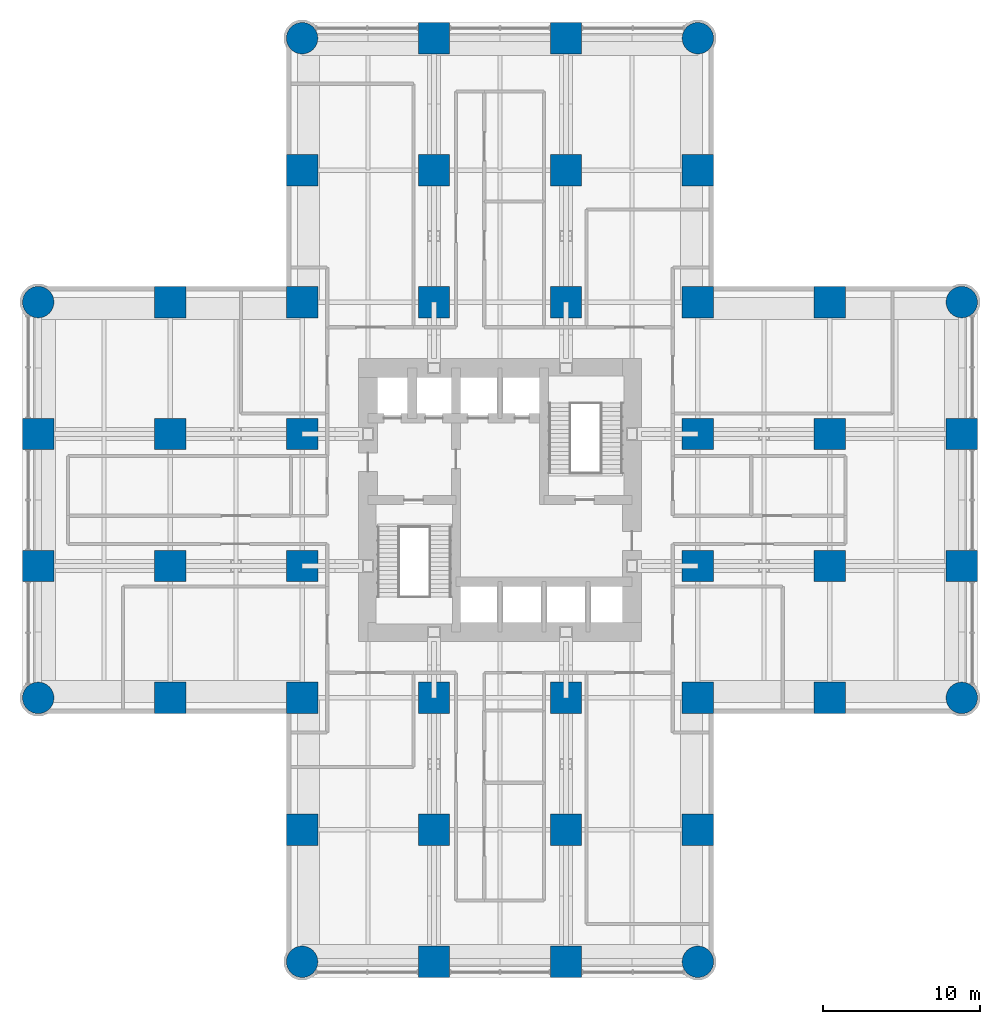
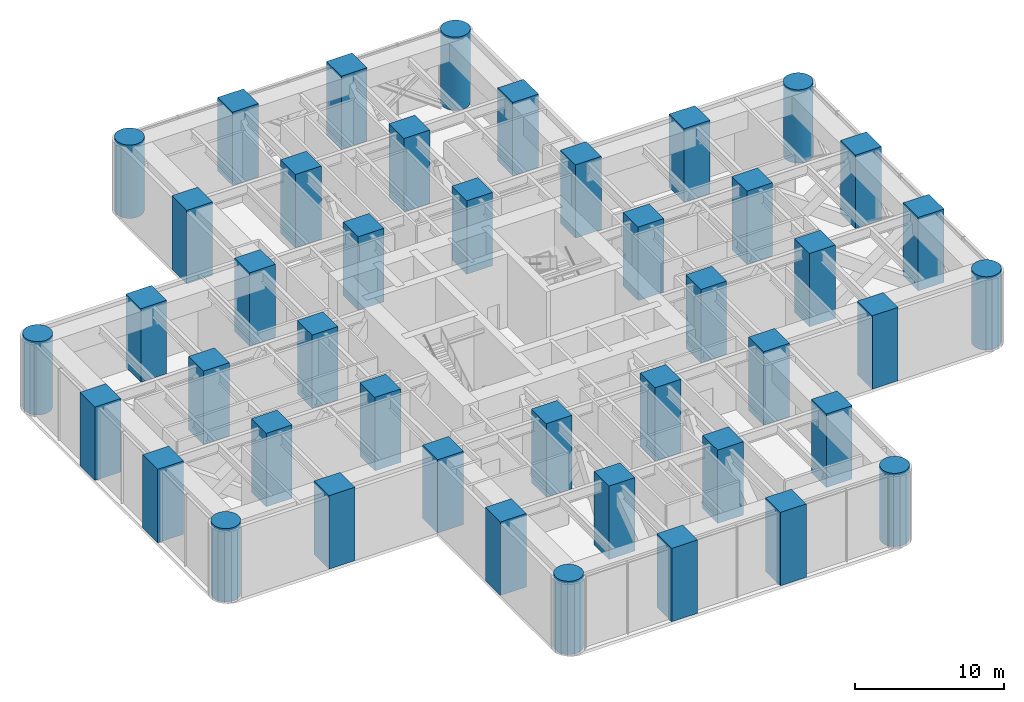
# One storey, part 1 of 12: 44 columns.
"""IFC4 building model written with IfcOpenShell, lengths in metres."""

from ifc_helpers import new_model, si_unit, direction, frame, origin, origin_2d, place, context, subcontext, project, spatial, rectangle, circle, extrude, material, material_profile, profile_set, type_object, element, save


model = new_model("IFC4")

# Units and contexts
model_context = context("Model", 3, precision=1e-05, world=origin(), true_north=direction((0.0, 1.0)))
body_context = subcontext(model_context, "Body", "Model", "MODEL_VIEW")
ifc_project = project(units=[si_unit("LENGTHUNIT", "METRE"), si_unit("AREAUNIT", "SQUARE_METRE"), si_unit("VOLUMEUNIT", "CUBIC_METRE"), si_unit("PLANEANGLEUNIT", "RADIAN"), si_unit("MASSUNIT", "GRAM", prefix="KILO")], contexts=[model_context])

# Site, building, storey
site_placement = place(None, origin())
site = spatial("IfcSite", under=ifc_project, at=site_placement, CompositionType="ELEMENT")
building_placement = place(site_placement, origin())
building = spatial("IfcBuilding", under=site, at=building_placement, Name="Torre Alcanfor", CompositionType="ELEMENT")
storey_placement = place(building_placement, frame((0.0, 0.0, 102.89990234375)))
storey = spatial("IfcBuildingStorey", under=building, at=storey_placement, Name="L26", CompositionType="ELEMENT", Elevation=102.89990234375)

# Columns
ifc_material_1 = material(Name="Concrete f'c 70 MPa", Category="concrete")
ifc_material_profile_1 = material_profile(ifc_material_1, rectangle(XDim=2.0, YDim=2.0, at=origin_2d()), Name="2000x2000")
ifc_profile_set_1 = profile_set([ifc_material_profile_1], Name="Concrete f'c 70 MPa")
column_type_1 = type_object("IfcColumnType", Name="RC column 2000x2000 f'c70", PredefinedType="COLUMN", material=ifc_profile_set_1)
for number, where, z_axis, x_axis, name in (
    (1, (0.0, 25.199951171875, 0.0), (0.0, 0.0, 1.0), (1.0, 0.0, 0.0), "Column 1/F L26"),
    (2, (0.0, 33.60009765625, 0.0), (0.0, 0.0, 1.0), (1.0, 0.0, 0.0), "Column 1/G L26"),
    (3, (8.39990234375, 16.800048828125, 0.0), (0.0, 0.0, 1.0), (1.0, 0.0, 0.0), "Column 2/E L26"),
    (4, (8.39990234375, 25.199951171875, 0.0), (0.0, 0.0, 1.0), (1.0, 0.0, 0.0), "Column 2/F L26"),
    (5, (8.39990234375, 33.60009765625, 0.0), (0.0, 0.0, 1.0), (1.0, 0.0, 0.0), "Column 2/G L26"),
    (6, (8.39990234375, 42.0, 0.0), (0.0, 0.0, 1.0), (1.0, 0.0, 0.0), "Column 2/H L26"),
    (7, (16.800048828125, 8.39990234375, 0.0), (0.0, 0.0, 1.0), (1.0, 0.0, 0.0), "Column 3/D L26"),
    (8, (16.800048828125, 16.800048828125, 0.0), (0.0, 0.0, 1.0), (1.0, 0.0, 0.0), "Column 3/E L26"),
    (9, (16.800048828125, 25.199951171875, 0.0), (0.0, 0.0, 1.0), (1.0, 0.0, 0.0), "Column 3/F L26"),
    (10, (16.800048828125, 33.60009765625, 0.0), (0.0, 0.0, 1.0), (1.0, 0.0, 0.0), "Column 3/G L26"),
    (11, (16.800048828125, 42.0, 0.0), (0.0, 0.0, 1.0), (1.0, 0.0, 0.0), "Column 3/H L26"),
    (12, (16.800048828125, 50.39990234375, 0.0), (0.0, 0.0, 1.0), (1.0, 0.0, 0.0), "Column 3/J L26"),
    (13, (25.199951171875, 0.0, 0.0), (0.0, 0.0, 1.0), (1.0, 0.0, 0.0), "Column 4/C L26"),
    (14, (25.199951171875, 8.39990234375, 0.0), (0.0, 0.0, 1.0), (1.0, 0.0, 0.0), "Column 4/D L26"),
    (15, (25.199951171875, 16.800048828125, 0.0), (0.0, 0.0, 1.0), (1.0, 0.0, 0.0), "Column 4/E L26"),
    (16, (25.199951171875, 42.0, 0.0), (0.0, 0.0, 1.0), (1.0, 0.0, 0.0), "Column 4/H L26"),
    (17, (25.199951171875, 50.39990234375, 0.0), (0.0, 0.0, 1.0), (1.0, 0.0, 0.0), "Column 4/J L26"),
    (18, (25.199951171875, 58.800048828125, 0.0), (0.0, 0.0, 1.0), (1.0, 0.0, 0.0), "Column 4/K L26"),
    (19, (33.60009765625, 0.0, 0.0), (0.0, 0.0, 1.0), (1.0, 0.0, 0.0), "Column 5/C L26"),
    (20, (33.60009765625, 8.39990234375, 0.0), (0.0, 0.0, 1.0), (1.0, 0.0, 0.0), "Column 5/D L26"),
    (21, (33.60009765625, 16.800048828125, 0.0), (0.0, 0.0, 1.0), (1.0, 0.0, 0.0), "Column 5/E L26"),
    (22, (33.60009765625, 42.0, 0.0), (0.0, 0.0, 1.0), (1.0, 0.0, 0.0), "Column 5/H L26"),
    (23, (33.60009765625, 50.39990234375, 0.0), (0.0, 0.0, 1.0), (1.0, 0.0, 0.0), "Column 5/J L26"),
    (24, (33.60009765625, 58.800048828125, 0.0), (0.0, 0.0, 1.0), (1.0, 0.0, 0.0), "Column 5/K L26"),
    (25, (42.0, 8.39990234375, 0.0), (0.0, 0.0, 1.0), (1.0, 0.0, 0.0), "Column 6/D L26"),
    (26, (42.0, 16.800048828125, 0.0), (0.0, 0.0, 1.0), (1.0, 0.0, 0.0), "Column 6/E L26"),
    (27, (42.0, 25.199951171875, 0.0), (0.0, 0.0, 1.0), (1.0, 0.0, 0.0), "Column 6/F L26"),
    (28, (42.0, 33.60009765625, 0.0), (0.0, 0.0, 1.0), (1.0, 0.0, 0.0), "Column 6/G L26"),
    (29, (42.0, 42.0, 0.0), (0.0, 0.0, 1.0), (1.0, 0.0, 0.0), "Column 6/H L26"),
    (30, (42.0, 50.39990234375, 0.0), (0.0, 0.0, 1.0), (1.0, 0.0, 0.0), "Column 6/J L26"),
    (31, (50.39990234375, 16.800048828125, 0.0), (0.0, 0.0, 1.0), (1.0, 0.0, 0.0), "Column 7/E L26"),
    (32, (50.39990234375, 25.199951171875, 0.0), (0.0, 0.0, 1.0), (1.0, 0.0, 0.0), "Column 7/F L26"),
    (33, (50.39990234375, 33.60009765625, 0.0), (0.0, 0.0, 1.0), (1.0, 0.0, 0.0), "Column 7/G L26"),
    (34, (50.39990234375, 42.0, 0.0), (0.0, 0.0, 1.0), (1.0, 0.0, 0.0), "Column 7/H L26"),
    (35, (58.800048828125, 25.199951171875, 0.0), (0.0, 0.0, 1.0), (1.0, 0.0, 0.0), "Column 8/F L26"),
    (36, (58.800048828125, 33.60009765625, 0.0), (0.0, 0.0, 1.0), (1.0, 0.0, 0.0), "Column 8/G L26"),
):
    element("IfcColumn", number, at=place(storey_placement, frame(where, z_axis=z_axis, x_axis=x_axis)), inside=storey, type_object=column_type_1, Name=name, PredefinedType="COLUMN", context=body_context, shape_type="SweptSolid", body=[
        extrude(rectangle(XDim=2.0, YDim=2.0, at=origin_2d()), origin(), (0.0, 0.0, 1.0), 6.0),
    ])
ifc_material_2 = material(Name="Concrete f'c 70 MPa", Category="concrete")
ifc_material_profile_2 = material_profile(ifc_material_2, circle(Radius=1.0, at=origin_2d()), Name="D2000")
ifc_profile_set_2 = profile_set([ifc_material_profile_2], Name="Concrete f'c 70 MPa")
column_type_2 = type_object("IfcColumnType", Name="RC column D2000 f'c70", PredefinedType="COLUMN", material=ifc_profile_set_2)
for number, where, z_axis, x_axis, name in (
    (37, (0.0, 16.800048828125, 0.0), (0.0, 0.0, 1.0), (1.0, 0.0, 0.0), "Column 1/E L26"),
    (38, (0.0, 42.0, 0.0), (0.0, 0.0, 1.0), (1.0, 0.0, 0.0), "Column 1/H L26"),
    (39, (16.800048828125, 0.0, 0.0), (0.0, 0.0, 1.0), (1.0, 0.0, 0.0), "Column 3/C L26"),
    (40, (16.800048828125, 58.800048828125, 0.0), (0.0, 0.0, 1.0), (1.0, 0.0, 0.0), "Column 3/K L26"),
    (41, (42.0, 0.0, 0.0), (0.0, 0.0, 1.0), (1.0, 0.0, 0.0), "Column 6/C L26"),
    (42, (42.0, 58.800048828125, 0.0), (0.0, 0.0, 1.0), (1.0, 0.0, 0.0), "Column 6/K L26"),
    (43, (58.800048828125, 16.800048828125, 0.0), (0.0, 0.0, 1.0), (1.0, 0.0, 0.0), "Column 8/E L26"),
    (44, (58.800048828125, 42.0, 0.0), (0.0, 0.0, 1.0), (1.0, 0.0, 0.0), "Column 8/H L26"),
):
    element("IfcColumn", number, at=place(storey_placement, frame(where, z_axis=z_axis, x_axis=x_axis)), inside=storey, type_object=column_type_2, Name=name, PredefinedType="COLUMN", context=body_context, shape_type="SweptSolid", body=[
        extrude(circle(Radius=1.0, at=origin_2d()), origin(), (0.0, 0.0, 1.0), 6.0),
    ])

save(model, "model.ifc")
